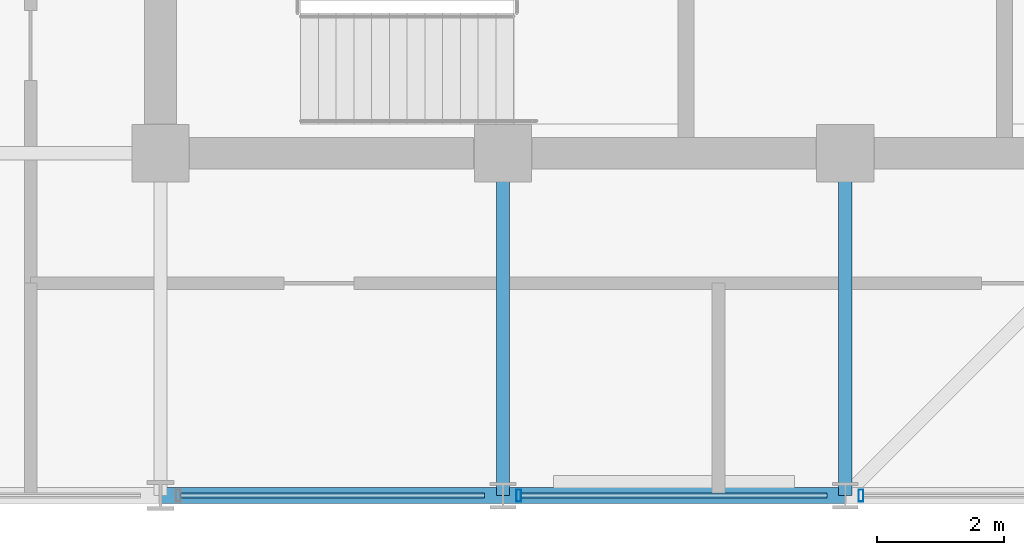
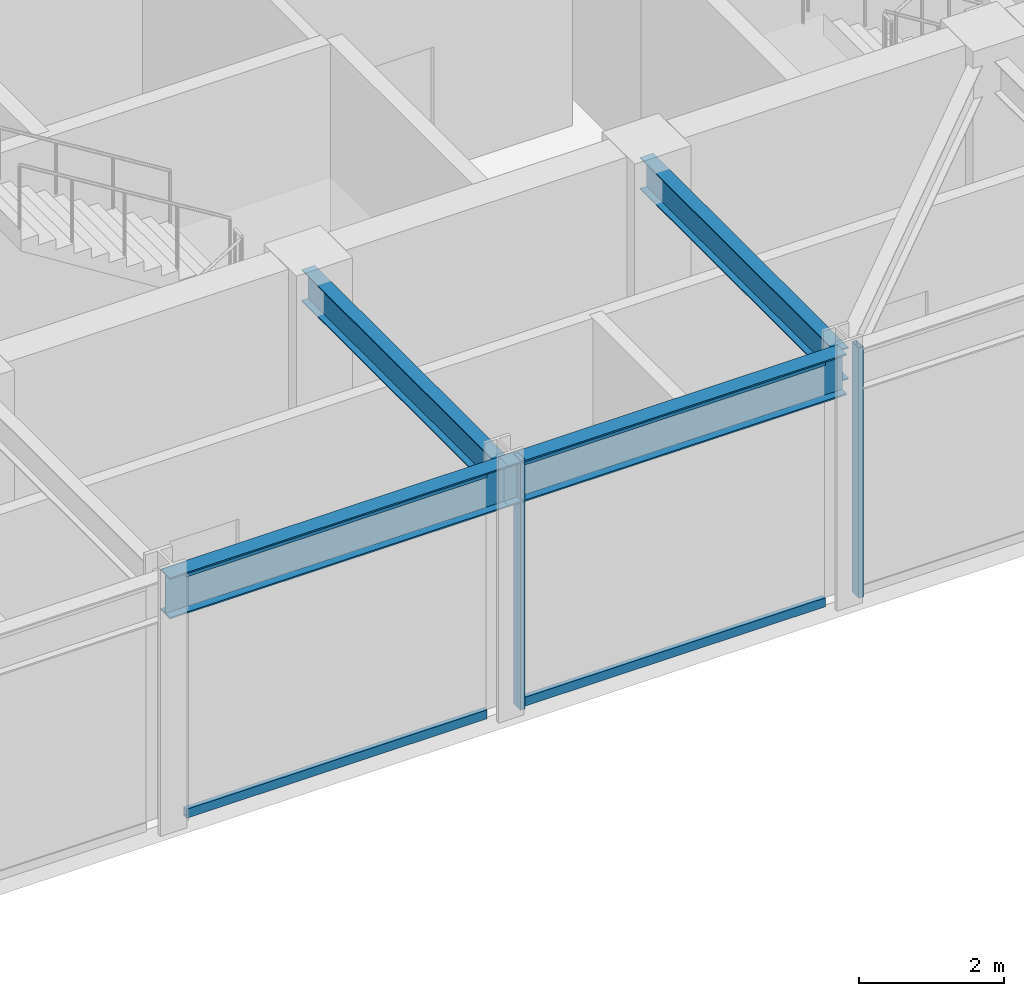
# One storey, part 4 of 21: 6 members, 4 beams, 1 element without a shape of its own.
"""IFC4 building model written with IfcOpenShell, lengths in metres."""

from ifc_helpers import new_model, si_unit, direction, frame, origin, origin_2d, place, context, subcontext, project, spatial, hollow_rectangle, i_section, extrude, material, layer, layer_set, material_profile, profile_set, type_object, element, aggregate, save


model = new_model("IFC4")

# Units and contexts
model_context = context("Model", 3, precision=1e-05, world=origin(), true_north=direction((0.0, 1.0)))
body_context = subcontext(model_context, "Body", "Model", "MODEL_VIEW")
ifc_project = project(units=[si_unit("LENGTHUNIT", "METRE"), si_unit("AREAUNIT", "SQUARE_METRE"), si_unit("VOLUMEUNIT", "CUBIC_METRE"), si_unit("PLANEANGLEUNIT", "RADIAN"), si_unit("MASSUNIT", "GRAM", prefix="KILO")], contexts=[model_context])

# Site, building, storey
site_placement = place(None, origin())
site = spatial("IfcSite", under=ifc_project, at=site_placement, CompositionType="ELEMENT")
building_placement = place(site_placement, origin())
building = spatial("IfcBuilding", under=site, at=building_placement, Name="Surkhivell Harbour Commons", CompositionType="ELEMENT")
storey_placement = place(building_placement, frame((0.0, 0.0, 346.5)))
storey = spatial("IfcBuildingStorey", under=building, at=storey_placement, Name="L90", CompositionType="ELEMENT", Elevation=346.5)

# Beams
ifc_material_1 = material(Name="Steel S355", Category="steel")
ifc_material_profile_1 = material_profile(ifc_material_1, i_section(OverallWidth=0.2099609375, OverallDepth=0.537109375, WebThickness=0.0107421875, FlangeThickness=0.017333984375, at=origin_2d()), Name="UB533x210x101")
ifc_profile_set_1 = profile_set([ifc_material_profile_1], Name="Steel S355")
beam_type_1 = type_object("IfcBeamType", Name="BM-GRD-533B", PredefinedType="BEAM", material=ifc_profile_set_1)
for number, where, z_axis, x_axis, name in (
    (1, (-5.39990234375, -16.199951171875, 3.951416015625), (0.0, 1.0, 0.0), (-1.0, 0.0, 0.0), "L90 Floor Girder (-5.4,-16.2)"),
    (2, (0.0, -16.199951171875, 3.951416015625), (0.0, 1.0, 0.0), (-1.0, 0.0, 0.0), "L90 Floor Girder (0.0,-16.2)"),
):
    element("IfcBeam", number, at=place(storey_placement, frame(where, z_axis=z_axis, x_axis=x_axis)), inside=storey, type_object=beam_type_1, Name=name, PredefinedType="BEAM", context=body_context, shape_type="SweptSolid", body=[
        extrude(i_section(OverallWidth=0.2099609375, OverallDepth=0.537109375, WebThickness=0.0107421875, FlangeThickness=0.017333984375, at=origin_2d()), origin(), (0.0, 0.0, 1.0), 5.39990234375),
    ])
ifc_material_profile_2 = material_profile(ifc_material_1, i_section(OverallWidth=0.256103515625, OverallDepth=0.693115234375, WebThickness=0.014404296875, FlangeThickness=0.023681640625, at=origin_2d()), Name="UB686x254x170")
ifc_profile_set_2 = profile_set([ifc_material_profile_2], Name="Steel S355")
beam_type_2 = type_object("IfcBeamType", Name="BM-SPN-686", PredefinedType="SPANDREL", material=ifc_profile_set_2)
beam_1_placement = place(storey_placement, frame((-10.800048828125, -16.199951171875, 3.87353515625), z_axis=(1.0, 0.0, 0.0), x_axis=(0.0, 1.0, 0.0)))
element("IfcBeam", 3, at=beam_1_placement, inside=storey, type_object=beam_type_2, Name="L90 Tube Spandrel (-10.8,-16.2)", PredefinedType="SPANDREL", context=body_context, shape_type="SweptSolid", body=[
    extrude(i_section(OverallWidth=0.256103515625, OverallDepth=0.693115234375, WebThickness=0.014404296875, FlangeThickness=0.023681640625, at=origin_2d()), origin(), (0.0, 0.0, 1.0), 5.400146484375),
])
beam_2_placement = place(storey_placement, frame((-5.39990234375, -16.199951171875, 3.87353515625), z_axis=(1.0, 0.0, 0.0), x_axis=(0.0, 1.0, 0.0)))
element("IfcBeam", 4, at=beam_2_placement, inside=storey, type_object=beam_type_2, Name="L90 Tube Spandrel (-5.4,-16.2)", PredefinedType="SPANDREL", context=body_context, shape_type="SweptSolid", body=[
    extrude(i_section(OverallWidth=0.256103515625, OverallDepth=0.693115234375, WebThickness=0.014404296875, FlangeThickness=0.023681640625, at=origin_2d()), origin(), (0.0, 0.0, 1.0), 5.39990234375),
])

# Curtain wall, members
ifc_material_2 = material(Name="Anodised pale-metal aluminium and insulated glazing", Category="aluminium")
ifc_layer = layer(ifc_material_2, 0.22998046875)
ifc_layer_set = layer_set([ifc_layer], Name="Anodised pale-metal aluminium and insulated glazing")
curtain_wall_type = type_object("IfcCurtainWallType", Name="CW-SYS-CRN", PredefinedType="NOTDEFINED", material=ifc_layer_set)
curtain_wall_placement = place(storey_placement, origin())
curtain_wall = element("IfcCurtainWall", 5, at=curtain_wall_placement, inside=storey, type_object=curtain_wall_type, Name="L90 Curtain Wall CW-L90-C06", PredefinedType="NOTDEFINED")
ifc_material_3 = material(Name="Anodised pale-metal aluminium alloy 6063-T6", Category="aluminium")
ifc_material_profile_3 = material_profile(ifc_material_3, hollow_rectangle(XDim=0.074951171875, YDim=0.18994140625, WallThickness=0.00390625, at=origin_2d()), Name="ALU-MULL-75x190")
ifc_profile_set_3 = profile_set([ifc_material_profile_3], Name="Anodised pale-metal aluminium alloy 6063-T6")
member_type_1 = type_object("IfcMemberType", Name="CWM-190", PredefinedType="MULLION", material=ifc_profile_set_3)
member_1_placement = place(storey_placement, frame((-5.150390625, -16.199951171875, 0.0), z_axis=(0.0, 0.0, 1.0), x_axis=(1.0, 0.0, 0.0)))
member_1 = element("IfcMember", 6, at=member_1_placement, type_object=member_type_1, Name="CW-CRN mullion 3", PredefinedType="MULLION", context=body_context, shape_type="SweptSolid", body=[
    extrude(hollow_rectangle(XDim=0.074951171875, YDim=0.18994140625, WallThickness=0.00390625, at=origin_2d()), origin(), (0.0, 0.0, 1.0), 4.219970703125),
])
member_2_placement = place(storey_placement, frame((0.24951171875, -16.199951171875, 0.0), z_axis=(0.0, 0.0, 1.0), x_axis=(1.0, 0.0, 0.0)))
member_2 = element("IfcMember", 7, at=member_2_placement, type_object=member_type_1, Name="CW-CRN mullion 4", PredefinedType="MULLION", context=body_context, shape_type="SweptSolid", body=[
    extrude(hollow_rectangle(XDim=0.074951171875, YDim=0.18994140625, WallThickness=0.00390625, at=origin_2d()), origin(), (0.0, 0.0, 1.0), 4.219970703125),
])
ifc_material_profile_4 = material_profile(ifc_material_3, hollow_rectangle(XDim=0.074951171875, YDim=0.14990234375, WallThickness=0.00341796875, at=origin_2d()), Name="ALU-TRAN-75x150")
ifc_profile_set_4 = profile_set([ifc_material_profile_4], Name="Anodised pale-metal aluminium alloy 6063-T6")
member_type_2 = type_object("IfcMemberType", Name="CWT-150", PredefinedType="USERDEFINED", material=ifc_profile_set_4)
member_3_placement = place(storey_placement, frame((-10.48291015625, -16.199951171875, 0.074951171875), z_axis=(1.0, 0.0, 0.0), x_axis=(0.0, 1.0, 0.0)))
member_3 = element("IfcMember", 8, at=member_3_placement, type_object=member_type_2, Name="CW-CRN transom 2.1", ObjectType="TRANSOM", PredefinedType="USERDEFINED", context=body_context, shape_type="SweptSolid", body=[
    extrude(hollow_rectangle(XDim=0.074951171875, YDim=0.14990234375, WallThickness=0.00341796875, at=origin_2d()), origin(), (0.0, 0.0, 1.0), 4.7958984375),
])
member_4_placement = place(storey_placement, frame((-10.48291015625, -16.199951171875, 4.14501953125), z_axis=(1.0, 0.0, 0.0), x_axis=(0.0, 1.0, 0.0)))
member_4 = element("IfcMember", 9, at=member_4_placement, type_object=member_type_2, Name="CW-CRN transom 2.2", ObjectType="TRANSOM", PredefinedType="USERDEFINED", context=body_context, shape_type="SweptSolid", body=[
    extrude(hollow_rectangle(XDim=0.074951171875, YDim=0.14990234375, WallThickness=0.00341796875, at=origin_2d()), origin(), (0.0, 0.0, 1.0), 4.7958984375),
])
member_5_placement = place(storey_placement, frame((-5.113037109375, -16.199951171875, 0.074951171875), z_axis=(1.0, 0.0, 0.0), x_axis=(0.0, 1.0, 0.0)))
member_5 = element("IfcMember", 10, at=member_5_placement, type_object=member_type_2, Name="CW-CRN transom 3.1", ObjectType="TRANSOM", PredefinedType="USERDEFINED", context=body_context, shape_type="SweptSolid", body=[
    extrude(hollow_rectangle(XDim=0.074951171875, YDim=0.14990234375, WallThickness=0.00341796875, at=origin_2d()), origin(), (0.0, 0.0, 1.0), 4.825927734375),
])
member_6_placement = place(storey_placement, frame((-5.113037109375, -16.199951171875, 4.14501953125), z_axis=(1.0, 0.0, 0.0), x_axis=(0.0, 1.0, 0.0)))
member_6 = element("IfcMember", 11, at=member_6_placement, type_object=member_type_2, Name="CW-CRN transom 3.2", ObjectType="TRANSOM", PredefinedType="USERDEFINED", context=body_context, shape_type="SweptSolid", body=[
    extrude(hollow_rectangle(XDim=0.074951171875, YDim=0.14990234375, WallThickness=0.00341796875, at=origin_2d()), origin(), (0.0, 0.0, 1.0), 4.825927734375),
])
aggregate(curtain_wall, [member_3, member_4, member_1, member_5, member_6, member_2])

save(model, "model.ifc")
